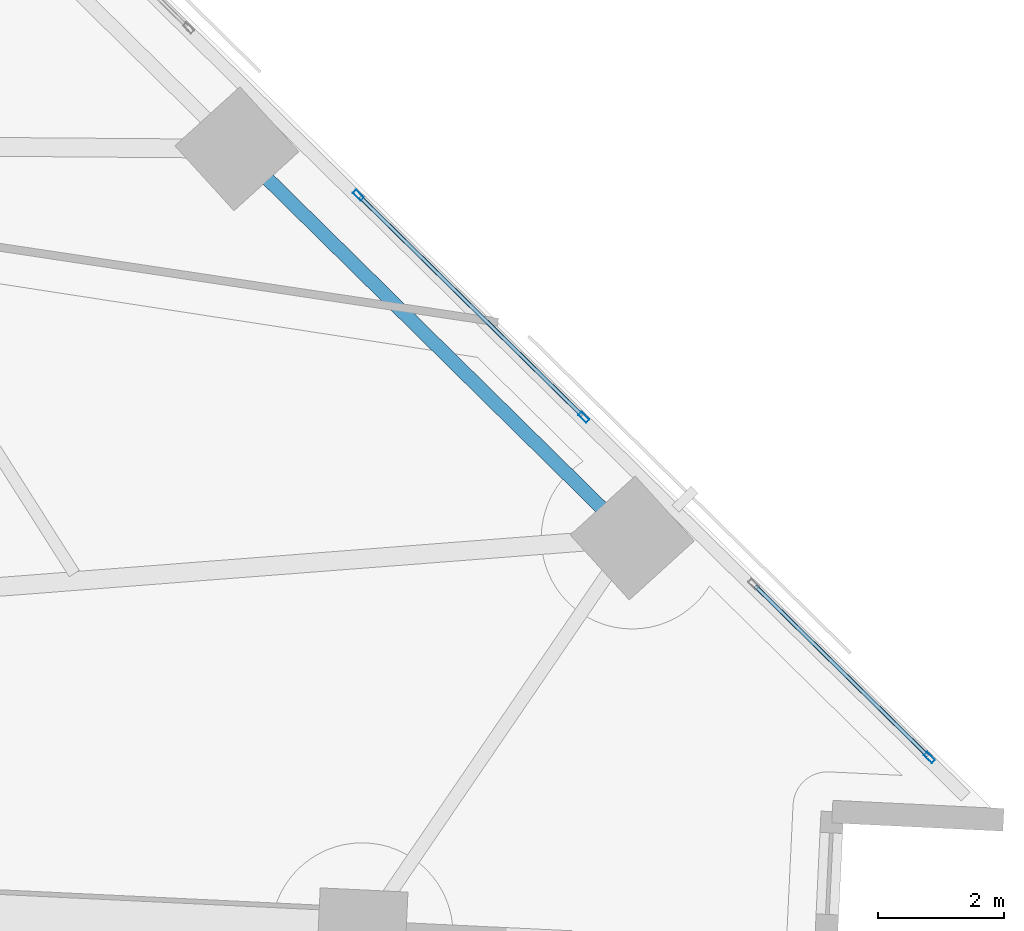
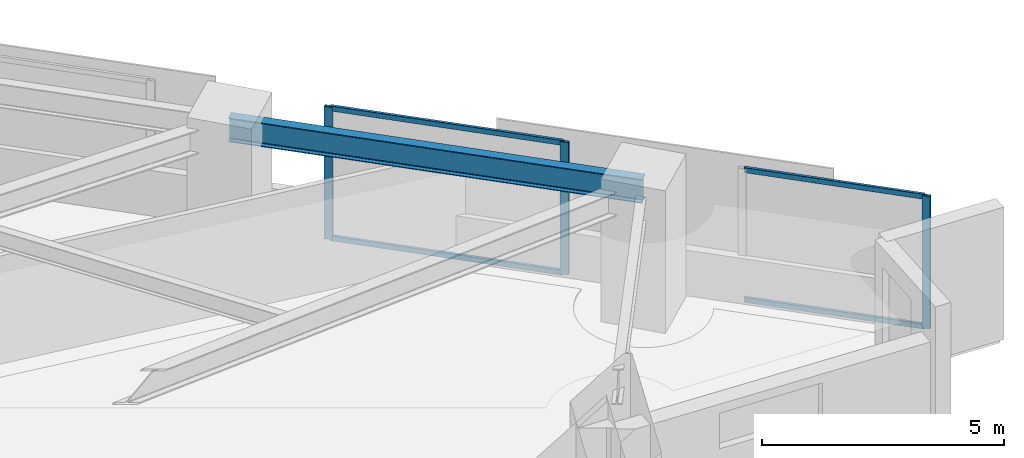
# One storey, part 5 of 17: 7 members, 1 beam, 2 elements without a shape of their own.
"""IFC4 building model written with IfcOpenShell, lengths in metres."""

import ifcopenshell
import ifcopenshell.guid

model = None  # the IFC model being written
_history = None  # IfcOwnerHistory: only IFC2X3 demands one
_inside = {}  # id of a spatial element -> (the spatial element, [elements in it])
_under = {}  # id of a project, library or spatial element -> (it, [spatial elements below it])
_declared = {}  # id of a project -> (the project, [libraries it declares])
_typed = {}  # id of a type object -> (the type object, [elements of that type])
_made_of = {}  # id of a material, layer set ... -> (it, [elements and type objects made of it])


def new_model(schema):
    """Start an empty IFC model of exactly this schema.

    Asked for "IFC4X3", IfcOpenShell would pick the latest addendum, in which some entities
    have other attributes; the version numbers below select the first issue.
    IFC2X3 requires an IfcOwnerHistory on every rooted entity: one is made here for all.
    """
    global model, _history
    if schema == "IFC4X3":
        model = ifcopenshell.file(schema_version=(4, 3, 0, 0))
    else:
        model = ifcopenshell.file(schema=schema)
    _inside.clear()
    _under.clear()
    _declared.clear()
    _typed.clear()
    _made_of.clear()
    _history = None
    if model.schema == "IFC2X3":
        org = make("IfcOrganization", Name="unknown")
        user = make(
            "IfcPersonAndOrganization",
            ThePerson=make("IfcPerson", FamilyName="unknown"),
            TheOrganization=org,
        )
        app = make(
            "IfcApplication",
            ApplicationDeveloper=org,
            Version="unknown",
            ApplicationFullName="unknown",
            ApplicationIdentifier="unknown",
        )
        _history = make(
            "IfcOwnerHistory",
            OwningUser=user,
            OwningApplication=app,
            ChangeAction="ADDED",
            CreationDate=0,
        )
    return model


def make(cls, **values):
    """One entity of the class cls with the attributes given. An attribute that is None is left unset."""
    return model.create_entity(
        cls, **{name: value for name, value in values.items() if value is not None}
    )


def rooted(cls, **values):
    """An entity with a GlobalId (a new one), such as an element, a storey or a relation."""
    return make(cls, GlobalId=ifcopenshell.guid.new(), OwnerHistory=_history, **values)


def si_unit(unit_type, name, prefix=None):
    """IfcSIUnit, for example si_unit("LENGTHUNIT", "METRE", prefix="MILLI")."""
    return make("IfcSIUnit", UnitType=unit_type, Prefix=prefix, Name=name)


def assignment(units):
    """IfcUnitAssignment: the units of a project."""
    return None if units is None else make("IfcUnitAssignment", Units=units)


def point(xyz):
    """IfcCartesianPoint."""
    return None if xyz is None else make("IfcCartesianPoint", Coordinates=xyz)


def direction(xyz):
    """IfcDirection."""
    return None if xyz is None else make("IfcDirection", DirectionRatios=xyz)


def frame(location, z_axis=None, x_axis=None):
    """IfcAxis2Placement3D, a coordinate frame: its origin and axes. An axis left out is left unset."""
    return make(
        "IfcAxis2Placement3D",
        Location=point(location),
        Axis=direction(z_axis),
        RefDirection=direction(x_axis),
    )


def frame_2d(location, x_axis=None):
    """IfcAxis2Placement2D, a coordinate frame in the plane: its origin and x axis."""
    return make(
        "IfcAxis2Placement2D", Location=point(location), RefDirection=direction(x_axis)
    )


def origin():
    """The frame at (0, 0, 0) with its axes left unset."""
    return frame((0.0, 0.0, 0.0))


def origin_2d():
    """The frame at (0, 0) in the plane with its x axis left unset."""
    return frame_2d((0.0, 0.0))


def place(relative_to, where):
    """IfcLocalPlacement: puts the frame where relative to a parent placement (None: the world)."""
    return make(
        "IfcLocalPlacement", PlacementRelTo=relative_to, RelativePlacement=where
    )


def context(
    kind, dimensions, precision=None, world=None, true_north=None, identifier=None
):
    """IfcGeometricRepresentationContext, for example the 3D "Model" context."""
    return make(
        "IfcGeometricRepresentationContext",
        ContextIdentifier=identifier,
        ContextType=kind,
        CoordinateSpaceDimension=dimensions,
        Precision=precision,
        WorldCoordinateSystem=world,
        TrueNorth=true_north,
    )


def subcontext(parent, identifier, kind, view, scale=None):
    """IfcGeometricRepresentationSubContext, for example "Body" below "Model"."""
    return make(
        "IfcGeometricRepresentationSubContext",
        ContextIdentifier=identifier,
        ContextType=kind,
        ParentContext=parent,
        TargetScale=scale,
        TargetView=view,
    )


def project(units=None, contexts=None):
    """IfcProject with its units and contexts."""
    return rooted(
        "IfcProject",
        Name="project",
        RepresentationContexts=contexts,
        UnitsInContext=assignment(units),
    )


def spatial(cls, under=None, at=None, **own):
    """A site, building, storey or space (cls), placed at a placement, below another one or the project."""
    s = rooted(cls, ObjectPlacement=at, **own)
    if under is not None:
        _under.setdefault(under.id(), (under, []))[1].append(s)
    return s


def profile(cls, at=None, kind="AREA", **sizes):
    """A parametric profile (cls). Its sizes go by their IFC names, for example OverallWidth=200.0."""
    return make(cls, ProfileType=kind, Position=at, **sizes)


def hollow_rectangle(**sizes):
    """IfcRectangleHollowProfileDef."""
    return profile("IfcRectangleHollowProfileDef", **sizes)


def i_section(**sizes):
    """IfcIShapeProfileDef."""
    return profile("IfcIShapeProfileDef", **sizes)


def extrude(swept, where, along, depth):
    """IfcExtrudedAreaSolid: the profile swept, set in the frame where, extruded along a direction by depth."""
    return make(
        "IfcExtrudedAreaSolid",
        SweptArea=swept,
        Position=where,
        ExtrudedDirection=direction(along),
        Depth=depth,
    )


def shape(context_of_items, identifier, shape_type, items):
    """IfcShapeRepresentation: the items that make up one representation, for example the "Body"."""
    return make(
        "IfcShapeRepresentation",
        ContextOfItems=context_of_items,
        RepresentationIdentifier=identifier,
        RepresentationType=shape_type,
        Items=items,
    )


def material(Name=None, Category=None):
    """IfcMaterial."""
    return make("IfcMaterial", Name=Name, Category=Category)


def material_profile(
    of_material, cross_section, Name=None, Category=None, Priority=None
):
    """IfcMaterialProfile: a cross section and its material."""
    return make(
        "IfcMaterialProfile",
        Name=Name,
        Material=of_material,
        Profile=cross_section,
        Priority=Priority,
        Category=Category,
    )


def profile_set(profiles, Name=None, composite=None):
    """IfcMaterialProfileSet."""
    return make(
        "IfcMaterialProfileSet",
        Name=Name,
        MaterialProfiles=profiles,
        CompositeProfile=composite,
    )


def made_of(thing, what):
    """Note that an element or type object is made of a material, layer set ...; save() writes the relation."""
    if what is not None:
        _made_of.setdefault(what.id(), (what, []))[1].append(thing)
    return thing


def type_object(cls, material=None, **own):
    """A type object (cls), such as IfcWallType, which elements share."""
    return made_of(rooted(cls, **own), material)


def element(
    cls,
    number,
    at=None,
    inside=None,
    cuts=None,
    type_object=None,
    material=None,
    context=None,
    identifier="Body",
    shape_type=None,
    held_by="IfcProductDefinitionShape",
    body=None,
    shapes=None,
    **own,
):
    """One element of the class cls, such as IfcWall. Its Tag is "e" and its number.

    at: its placement. inside: the storey or other place that contains it. cuts: it is an
    opening in that element (IfcRelVoidsElement). A single representation is given by context,
    identifier, shape_type and body (its items); several are given by shapes. held_by: the class
    of the entity that holds the representations. save() writes the other relations.
    """
    e = rooted(cls, Tag="e%d" % number, ObjectPlacement=at, **own)
    if body is not None:
        shapes = [shape(context, identifier, shape_type, body)]
    if shapes is not None:
        e.Representation = make(held_by, Representations=shapes)
    if inside is not None:
        _inside.setdefault(inside.id(), (inside, []))[1].append(e)
    if cuts is not None:
        rooted(
            "IfcRelVoidsElement", RelatingBuildingElement=cuts, RelatedOpeningElement=e
        )
    if type_object is not None:
        _typed.setdefault(type_object.id(), (type_object, []))[1].append(e)
    return made_of(e, material)


def aggregate(whole, parts):
    """IfcRelAggregates: a whole, such as a stair, and the parts it consists of."""
    return rooted("IfcRelAggregates", RelatingObject=whole, RelatedObjects=parts)


def save(model, path):
    """Write the relations noted so far, then the file.

    IfcRelAggregates (storeys below a building ...), IfcRelContainedInSpatialStructure (elements
    in a storey), IfcRelDefinesByType, IfcRelAssociatesMaterial and IfcRelDeclares: one each for
    every whole, place, type object, material and project.
    """
    for whole, parts in _under.values():
        aggregate(whole, parts)
    for where, things in _inside.values():
        rooted(
            "IfcRelContainedInSpatialStructure",
            RelatedElements=things,
            RelatingStructure=where,
        )
    for kind, things in _typed.values():
        rooted("IfcRelDefinesByType", RelatedObjects=things, RelatingType=kind)
    for what, things in _made_of.values():
        rooted("IfcRelAssociatesMaterial", RelatedObjects=things, RelatingMaterial=what)
    for by, libraries in _declared.values():
        rooted("IfcRelDeclares", RelatingContext=by, RelatedDefinitions=libraries)
    model.write(path)


model = new_model("IFC4")

# Units and contexts
model_context = context("Model", 3, precision=1e-05, world=origin(), true_north=direction((0.0, 1.0)))
body_context = subcontext(model_context, "Body", "Model", "MODEL_VIEW")
ifc_project = project(units=[si_unit("LENGTHUNIT", "METRE"), si_unit("AREAUNIT", "SQUARE_METRE"), si_unit("VOLUMEUNIT", "CUBIC_METRE"), si_unit("PLANEANGLEUNIT", "RADIAN"), si_unit("MASSUNIT", "GRAM", prefix="KILO")], contexts=[model_context])

# Site, building, storey
site_placement = place(None, origin())
site = spatial("IfcSite", under=ifc_project, at=site_placement, CompositionType="ELEMENT")
building_placement = place(site_placement, origin())
building = spatial("IfcBuilding", under=site, at=building_placement, Name="Narakoshi Arena Tower", CompositionType="ELEMENT")
storey_placement = place(building_placement, frame((0.0, 0.0, 33.89990234375)))
storey = spatial("IfcBuildingStorey", under=building, at=storey_placement, Name="L08", CompositionType="ELEMENT", Elevation=33.89990234375)

# Beam
ifc_material_1 = material(Name="Structural steel S355J2", Category="steel")
ifc_material_profile_1 = material_profile(ifc_material_1, i_section(OverallWidth=0.219970703125, OverallDepth=0.60009765625, WebThickness=0.011962890625, FlangeThickness=0.01904296875, FilletRadius=0.02392578125, at=origin_2d()), Name="IPE600")
ifc_profile_set_1 = profile_set([ifc_material_profile_1], Name="Structural steel S355J2")
beam_type = type_object("IfcBeamType", Name="BM-EDGE-600", PredefinedType="BEAM", material=ifc_profile_set_1)
beam_placement = place(storey_placement, frame((114.942138671875, 36.969970703125, 3.0400390625), z_axis=(-0.712540689328, 0.70163079041, 0.0), x_axis=(-0.70163079041, -0.712540689328, 0.0)))
element("IfcBeam", 1, at=beam_placement, inside=storey, type_object=beam_type, Name="L08 Perimeter Edge Girder 05", PredefinedType="BEAM", context=body_context, shape_type="SweptSolid", body=[
    extrude(i_section(OverallWidth=0.219970703125, OverallDepth=0.60009765625, WebThickness=0.011962890625, FlangeThickness=0.01904296875, FilletRadius=0.02392578125, at=origin_2d()), origin(), (0.0, 0.0, 1.0), 8.83935546875),
])

# Curtain wall, member
ifc_material_2 = material(Name="Anodised bronze aluminium 6063-T6", Category="aluminium")
curtain_wall_type = type_object("IfcCurtainWallType", Name="CW-HYP-LOW", PredefinedType="NOTDEFINED", material=ifc_material_2)
curtain_wall_1_placement = place(storey_placement, origin())
curtain_wall_1 = element("IfcCurtainWall", 2, at=curtain_wall_1_placement, inside=storey, type_object=curtain_wall_type, Name="L08 Folded Hypotenuse Curtain Wall 1-1", PredefinedType="NOTDEFINED")
ifc_material_profile_2 = material_profile(ifc_material_2, hollow_rectangle(XDim=0.074951171875, YDim=0.179931640625, WallThickness=0.00390625, OuterFilletRadius=0.0048828125, at=origin_2d()), Name="MUL180x75x4")
ifc_profile_set_2 = profile_set([ifc_material_profile_2], Name="Anodised bronze aluminium 6063-T6")
member_type_1 = type_object("IfcMemberType", Name="MEM-MUL-180", PredefinedType="MULLION", material=ifc_profile_set_2)
member_1_placement = place(storey_placement, frame((119.677734375, 33.471923828125, 0.0), z_axis=(0.0, 0.0, 1.0), x_axis=(-0.701630192894, -0.712541277695, 0.0)))
member_1 = element("IfcMember", 3, at=member_1_placement, type_object=member_type_1, Name="CW-01 mullion 1", PredefinedType="MULLION", context=body_context, shape_type="SweptSolid", body=[
    extrude(hollow_rectangle(XDim=0.074951171875, YDim=0.179931640625, WallThickness=0.00390625, OuterFilletRadius=0.0048828125, at=origin_2d()), origin(), (0.0, 0.0, 1.0), 3.340087890625),
])

# Curtain wall, members
curtain_wall_2_placement = place(storey_placement, origin())
curtain_wall_2 = element("IfcCurtainWall", 4, at=curtain_wall_2_placement, inside=storey, type_object=curtain_wall_type, Name="L08 Folded Hypotenuse Curtain Wall 1-2", PredefinedType="NOTDEFINED")
member_2_placement = place(storey_placement, frame((114.17138671875, 38.893798828125, 0.0), z_axis=(0.0, 0.0, 1.0), x_axis=(-0.701623031404, -0.712548329451, 0.0)))
member_2 = element("IfcMember", 5, at=member_2_placement, type_object=member_type_1, Name="CW-01 mullion 1", PredefinedType="MULLION", context=body_context, shape_type="SweptSolid", body=[
    extrude(hollow_rectangle(XDim=0.074951171875, YDim=0.179931640625, WallThickness=0.00390625, OuterFilletRadius=0.0048828125, at=origin_2d()), origin(), (0.0, 0.0, 1.0), 3.340087890625),
])
member_3_placement = place(storey_placement, frame((110.578857421875, 42.43115234375, 0.0), z_axis=(0.0, 0.0, 1.0), x_axis=(-0.701623031404, -0.712548329451, 0.0)))
member_3 = element("IfcMember", 6, at=member_3_placement, type_object=member_type_1, Name="CW-01 mullion 2", PredefinedType="MULLION", context=body_context, shape_type="SweptSolid", body=[
    extrude(hollow_rectangle(XDim=0.074951171875, YDim=0.179931640625, WallThickness=0.00390625, OuterFilletRadius=0.0048828125, at=origin_2d()), origin(), (0.0, 0.0, 1.0), 3.340087890625),
])

# Member
ifc_material_profile_3 = material_profile(ifc_material_2, hollow_rectangle(XDim=0.06494140625, YDim=0.1298828125, WallThickness=0.00390625, OuterFilletRadius=0.0048828125, at=origin_2d()), Name="TRN130x65x4")
ifc_profile_set_3 = profile_set([ifc_material_profile_3], Name="Anodised bronze aluminium 6063-T6")
member_type_2 = type_object("IfcMemberType", Name="MEM-TRN-130", PredefinedType="USERDEFINED", material=ifc_profile_set_3)
member_4_placement = place(storey_placement, frame((119.65087890625, 33.498046875, 0.03271484375), z_axis=(-0.712532234505, 0.701639376596, 0.0), x_axis=(-0.701639376596, -0.712532234505, 0.0)))
member_4 = element("IfcMember", 7, at=member_4_placement, type_object=member_type_2, Name="CW-01 transom 1.1", ObjectType="TRANSOM", PredefinedType="USERDEFINED", context=body_context, shape_type="SweptSolid", body=[
    extrude(hollow_rectangle(XDim=0.06494140625, YDim=0.1298828125, WallThickness=0.00390625, OuterFilletRadius=0.0048828125, at=origin_2d()), origin(), (0.0, 0.0, 1.0), 3.85498046875),
])

member_5_placement = place(storey_placement, frame((119.65087890625, 33.498046875, 3.3076171875), z_axis=(-0.712532234505, 0.701639376596, 0.0), x_axis=(-0.701639376596, -0.712532234505, 0.0)))
member_5 = element("IfcMember", 8, at=member_5_placement, type_object=member_type_2, Name="CW-01 transom 1.2", ObjectType="TRANSOM", PredefinedType="USERDEFINED", context=body_context, shape_type="SweptSolid", body=[
    extrude(hollow_rectangle(XDim=0.06494140625, YDim=0.1298828125, WallThickness=0.00390625, OuterFilletRadius=0.0048828125, at=origin_2d()), origin(), (0.0, 0.0, 1.0), 3.85498046875),
])

aggregate(curtain_wall_1, [member_1, member_4, member_5])

member_6_placement = place(storey_placement, frame((114.14453125, 38.920166015625, 0.03271484375), z_axis=(-0.712542243067, 0.701629212508, 0.0), x_axis=(-0.701629212508, -0.712542243067, 0.0)))
member_6 = element("IfcMember", 9, at=member_6_placement, type_object=member_type_2, Name="CW-01 transom 1.1", ObjectType="TRANSOM", PredefinedType="USERDEFINED", context=body_context, shape_type="SweptSolid", body=[
    extrude(hollow_rectangle(XDim=0.06494140625, YDim=0.1298828125, WallThickness=0.00390625, OuterFilletRadius=0.0048828125, at=origin_2d()), origin(), (0.0, 0.0, 1.0), 4.966552734375),
])

member_7_placement = place(storey_placement, frame((114.14453125, 38.920166015625, 3.3076171875), z_axis=(-0.712542243067, 0.701629212508, 0.0), x_axis=(-0.701629212508, -0.712542243067, 0.0)))
member_7 = element("IfcMember", 10, at=member_7_placement, type_object=member_type_2, Name="CW-01 transom 1.2", ObjectType="TRANSOM", PredefinedType="USERDEFINED", context=body_context, shape_type="SweptSolid", body=[
    extrude(hollow_rectangle(XDim=0.06494140625, YDim=0.1298828125, WallThickness=0.00390625, OuterFilletRadius=0.0048828125, at=origin_2d()), origin(), (0.0, 0.0, 1.0), 4.966552734375),
])

aggregate(curtain_wall_2, [member_2, member_3, member_6, member_7])

save(model, "model.ifc")
